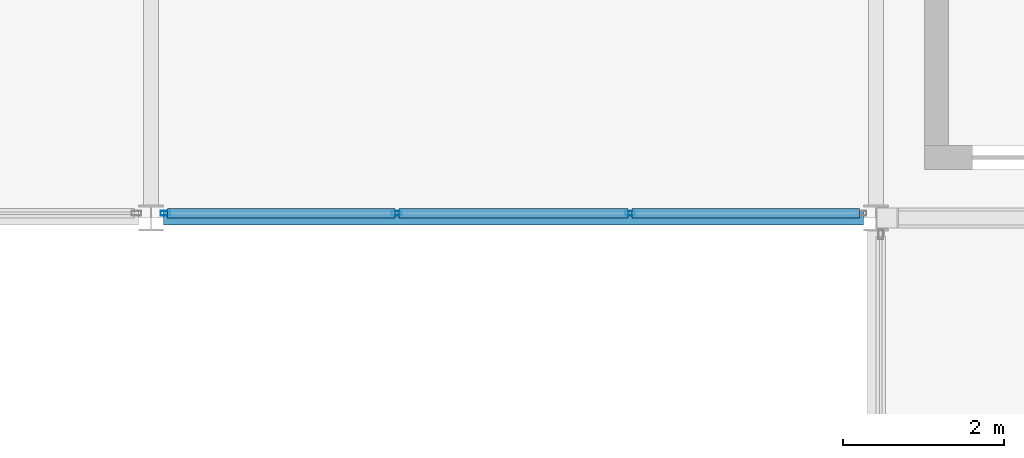
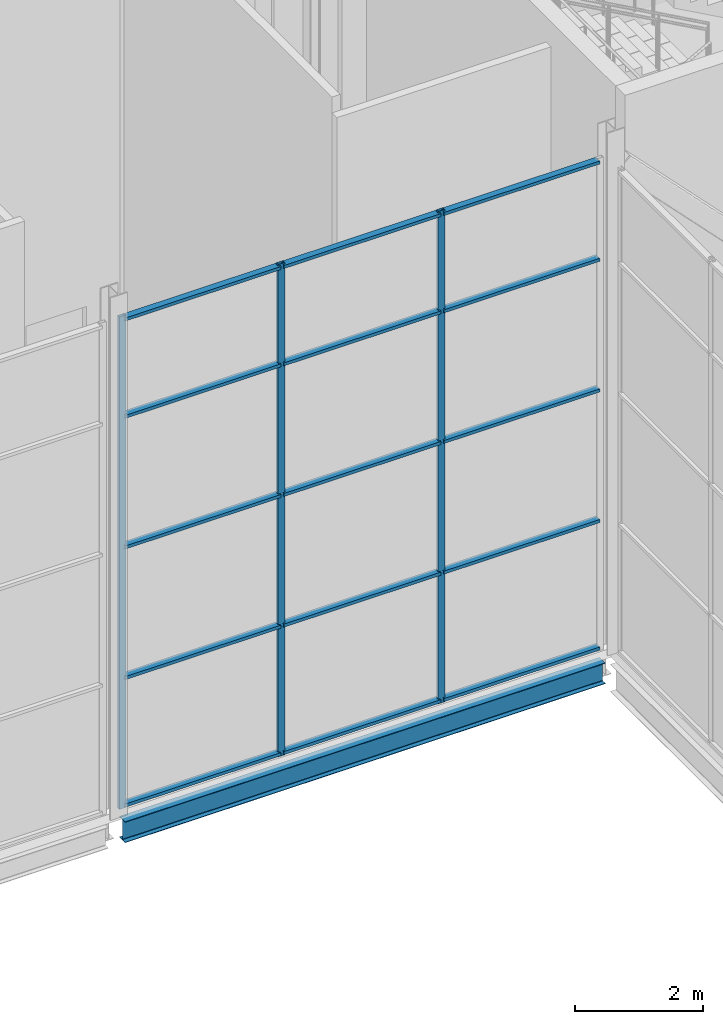
# One storey, part 64 of 111: 18 members, 1 beam, 1 element without a shape of its own.
"""IFC4 building model written with IfcOpenShell, lengths in metres."""

from ifc_helpers import new_model, si_unit, direction, frame, origin, origin_2d, place, context, subcontext, project, spatial, hollow_rectangle, i_section, extrude, material, layer, layer_set, material_profile, profile_set, type_object, element, aggregate, save


model = new_model("IFC4")

# Units and contexts
model_context = context("Model", 3, precision=1e-05, world=origin(), true_north=direction((0.0, 1.0)))
body_context = subcontext(model_context, "Body", "Model", "MODEL_VIEW")
ifc_project = project(units=[si_unit("LENGTHUNIT", "METRE"), si_unit("AREAUNIT", "SQUARE_METRE"), si_unit("VOLUMEUNIT", "CUBIC_METRE"), si_unit("PLANEANGLEUNIT", "RADIAN"), si_unit("MASSUNIT", "GRAM", prefix="KILO")], contexts=[model_context])

# Site, building, storey
site_placement = place(None, origin())
site = spatial("IfcSite", under=ifc_project, at=site_placement, CompositionType="ELEMENT")
building_placement = place(site_placement, origin())
building = spatial("IfcBuilding", under=site, at=building_placement, Name="Shorebreak Coast Museum", CompositionType="ELEMENT")
storey_placement = place(building_placement, frame((0.0, 0.0, 16.0)))
storey = spatial("IfcBuildingStorey", under=building, at=storey_placement, Name="L03", CompositionType="ELEMENT", Elevation=16.0)

# Beam
ifc_material_1 = material(Name="Steel Grade 300", Category="steel")
ifc_material_profile_1 = material_profile(ifc_material_1, i_section(OverallWidth=0.177978515625, OverallDepth=0.402587890625, WebThickness=0.007568359375, FlangeThickness=0.010986328125, FilletRadius=0.011474609375, at=origin_2d()), Name="410UB53.7")
ifc_profile_set_1 = profile_set([ifc_material_profile_1], Name="Steel Grade 300")
beam_type = type_object("IfcBeamType", Name="Floor girder east-west 410UB53.7", PredefinedType="BEAM", material=ifc_profile_set_1)
beam_placement = place(storey_placement, frame((99.155517578125, 81.0, -0.376220703125), z_axis=(1.0, 0.0, 0.0), x_axis=(0.0, 1.0, 0.0)))
element("IfcBeam", 1, at=beam_placement, inside=storey, type_object=beam_type, Name="Floor girder east-west L03 12K", PredefinedType="BEAM", context=body_context, shape_type="SweptSolid", body=[
    extrude(i_section(OverallWidth=0.177978515625, OverallDepth=0.402587890625, WebThickness=0.007568359375, FlangeThickness=0.010986328125, FilletRadius=0.011474609375, at=origin_2d()), origin(), (0.0, 0.0, 1.0), 8.68896484375),
])

# Curtain wall, members
ifc_material_2 = material(Name="Aluminium", Category="aluminium")
ifc_layer = layer(ifc_material_2, 0.1201171875)
ifc_layer_set = layer_set([ifc_layer], Name="Aluminium")
curtain_wall_type = type_object("IfcCurtainWallType", Name="Atrium fire screen", PredefinedType="NOTDEFINED", material=ifc_layer_set)
curtain_wall_placement = place(storey_placement, origin())
curtain_wall = element("IfcCurtainWall", 2, at=curtain_wall_placement, inside=storey, type_object=curtain_wall_type, Name="Atrium screen L03 N 44", PredefinedType="NOTDEFINED")
ifc_material_3 = material(Name="Aluminium", Category="aluminium")
ifc_material_profile_2 = material_profile(ifc_material_3, hollow_rectangle(XDim=0.06005859375, YDim=0.1201171875, WallThickness=0.00341796875, at=origin_2d()), Name="AL 120x60 RHS")
ifc_profile_set_2 = profile_set([ifc_material_profile_2], Name="Aluminium")
member_type_1 = type_object("IfcMemberType", Name="Screen mullion 50 x 120", PredefinedType="MULLION", material=ifc_profile_set_2)
member_1_placement = place(storey_placement, frame((99.179443359375, 81.06005859375, 0.0), z_axis=(0.0, 0.0, 1.0), x_axis=(0.0, 1.0, 0.0)))
member_1 = element("IfcMember", 3, at=member_1_placement, type_object=member_type_1, Name="CW6 mullion 1", PredefinedType="MULLION", context=body_context, shape_type="SweptSolid", body=[
    extrude(hollow_rectangle(XDim=0.06005859375, YDim=0.1201171875, WallThickness=0.00341796875, at=origin_2d()), origin(), (0.0, 0.0, 1.0), 9.42236328125),
])
member_2_placement = place(storey_placement, frame((102.051513671875, 81.06005859375, 0.0), z_axis=(0.0, 0.0, 1.0), x_axis=(0.0, 1.0, 0.0)))
member_2 = element("IfcMember", 4, at=member_2_placement, type_object=member_type_1, Name="CW6 mullion 2", PredefinedType="MULLION", context=body_context, shape_type="SweptSolid", body=[
    extrude(hollow_rectangle(XDim=0.06005859375, YDim=0.1201171875, WallThickness=0.00341796875, at=origin_2d()), origin(), (0.0, 0.0, 1.0), 9.42236328125),
])
member_3_placement = place(storey_placement, frame((104.948486328125, 81.06005859375, 0.0), z_axis=(0.0, 0.0, 1.0), x_axis=(0.0, 1.0, 0.0)))
member_3 = element("IfcMember", 5, at=member_3_placement, type_object=member_type_1, Name="CW6 mullion 3", PredefinedType="MULLION", context=body_context, shape_type="SweptSolid", body=[
    extrude(hollow_rectangle(XDim=0.06005859375, YDim=0.1201171875, WallThickness=0.00341796875, at=origin_2d()), origin(), (0.0, 0.0, 1.0), 9.42236328125),
])
ifc_material_4 = material(Name="Aluminium", Category="aluminium")
ifc_material_profile_3 = material_profile(ifc_material_4, hollow_rectangle(XDim=0.1201171875, YDim=0.06005859375, WallThickness=0.00341796875, at=origin_2d()), Name="AL 60x120 RHS")
ifc_profile_set_3 = profile_set([ifc_material_profile_3], Name="Aluminium")
member_type_2 = type_object("IfcMemberType", Name="Screen transom 120 x 50", PredefinedType="USERDEFINED", material=ifc_profile_set_3)
member_4_placement = place(storey_placement, frame((99.20458984375, 81.06005859375, 0.06005859375), z_axis=(1.0, 0.0, 0.0), x_axis=(0.0, 1.0, 0.0)))
member_4 = element("IfcMember", 6, at=member_4_placement, type_object=member_type_2, Name="CW6 transom 1.1", ObjectType="TRANSOM", PredefinedType="USERDEFINED", context=body_context, shape_type="SweptSolid", body=[
    extrude(hollow_rectangle(XDim=0.1201171875, YDim=0.06005859375, WallThickness=0.00341796875, at=origin_2d()), origin(), (0.0, 0.0, 1.0), 2.822021484375),
])
member_5_placement = place(storey_placement, frame((99.20458984375, 81.06005859375, 2.5), z_axis=(1.0, 0.0, 0.0), x_axis=(0.0, 1.0, 0.0)))
member_5 = element("IfcMember", 7, at=member_5_placement, type_object=member_type_2, Name="CW6 transom 1.2", ObjectType="TRANSOM", PredefinedType="USERDEFINED", context=body_context, shape_type="SweptSolid", body=[
    extrude(hollow_rectangle(XDim=0.1201171875, YDim=0.06005859375, WallThickness=0.00341796875, at=origin_2d()), origin(), (0.0, 0.0, 1.0), 2.822021484375),
])
member_6_placement = place(storey_placement, frame((99.20458984375, 81.06005859375, 5.0), z_axis=(1.0, 0.0, 0.0), x_axis=(0.0, 1.0, 0.0)))
member_6 = element("IfcMember", 8, at=member_6_placement, type_object=member_type_2, Name="CW6 transom 1.3", ObjectType="TRANSOM", PredefinedType="USERDEFINED", context=body_context, shape_type="SweptSolid", body=[
    extrude(hollow_rectangle(XDim=0.1201171875, YDim=0.06005859375, WallThickness=0.00341796875, at=origin_2d()), origin(), (0.0, 0.0, 1.0), 2.822021484375),
])
member_7_placement = place(storey_placement, frame((99.20458984375, 81.06005859375, 7.5), z_axis=(1.0, 0.0, 0.0), x_axis=(0.0, 1.0, 0.0)))
member_7 = element("IfcMember", 9, at=member_7_placement, type_object=member_type_2, Name="CW6 transom 1.4", ObjectType="TRANSOM", PredefinedType="USERDEFINED", context=body_context, shape_type="SweptSolid", body=[
    extrude(hollow_rectangle(XDim=0.1201171875, YDim=0.06005859375, WallThickness=0.00341796875, at=origin_2d()), origin(), (0.0, 0.0, 1.0), 2.822021484375),
])
member_8_placement = place(storey_placement, frame((99.20458984375, 81.06005859375, 9.3623046875), z_axis=(1.0, 0.0, 0.0), x_axis=(0.0, 1.0, 0.0)))
member_8 = element("IfcMember", 10, at=member_8_placement, type_object=member_type_2, Name="CW6 transom 1.5", ObjectType="TRANSOM", PredefinedType="USERDEFINED", context=body_context, shape_type="SweptSolid", body=[
    extrude(hollow_rectangle(XDim=0.1201171875, YDim=0.06005859375, WallThickness=0.00341796875, at=origin_2d()), origin(), (0.0, 0.0, 1.0), 2.822021484375),
])
member_9_placement = place(storey_placement, frame((102.076416015625, 81.06005859375, 0.06005859375), z_axis=(1.0, 0.0, 0.0), x_axis=(0.0, 1.0, 0.0)))
member_9 = element("IfcMember", 11, at=member_9_placement, type_object=member_type_2, Name="CW6 transom 2.1", ObjectType="TRANSOM", PredefinedType="USERDEFINED", context=body_context, shape_type="SweptSolid", body=[
    extrude(hollow_rectangle(XDim=0.1201171875, YDim=0.06005859375, WallThickness=0.00341796875, at=origin_2d()), origin(), (0.0, 0.0, 1.0), 2.84716796875),
])
member_10_placement = place(storey_placement, frame((102.076416015625, 81.06005859375, 2.5), z_axis=(1.0, 0.0, 0.0), x_axis=(0.0, 1.0, 0.0)))
member_10 = element("IfcMember", 12, at=member_10_placement, type_object=member_type_2, Name="CW6 transom 2.2", ObjectType="TRANSOM", PredefinedType="USERDEFINED", context=body_context, shape_type="SweptSolid", body=[
    extrude(hollow_rectangle(XDim=0.1201171875, YDim=0.06005859375, WallThickness=0.00341796875, at=origin_2d()), origin(), (0.0, 0.0, 1.0), 2.84716796875),
])
member_11_placement = place(storey_placement, frame((102.076416015625, 81.06005859375, 5.0), z_axis=(1.0, 0.0, 0.0), x_axis=(0.0, 1.0, 0.0)))
member_11 = element("IfcMember", 13, at=member_11_placement, type_object=member_type_2, Name="CW6 transom 2.3", ObjectType="TRANSOM", PredefinedType="USERDEFINED", context=body_context, shape_type="SweptSolid", body=[
    extrude(hollow_rectangle(XDim=0.1201171875, YDim=0.06005859375, WallThickness=0.00341796875, at=origin_2d()), origin(), (0.0, 0.0, 1.0), 2.84716796875),
])
member_12_placement = place(storey_placement, frame((102.076416015625, 81.06005859375, 7.5), z_axis=(1.0, 0.0, 0.0), x_axis=(0.0, 1.0, 0.0)))
member_12 = element("IfcMember", 14, at=member_12_placement, type_object=member_type_2, Name="CW6 transom 2.4", ObjectType="TRANSOM", PredefinedType="USERDEFINED", context=body_context, shape_type="SweptSolid", body=[
    extrude(hollow_rectangle(XDim=0.1201171875, YDim=0.06005859375, WallThickness=0.00341796875, at=origin_2d()), origin(), (0.0, 0.0, 1.0), 2.84716796875),
])
member_13_placement = place(storey_placement, frame((102.076416015625, 81.06005859375, 9.3623046875), z_axis=(1.0, 0.0, 0.0), x_axis=(0.0, 1.0, 0.0)))
member_13 = element("IfcMember", 15, at=member_13_placement, type_object=member_type_2, Name="CW6 transom 2.5", ObjectType="TRANSOM", PredefinedType="USERDEFINED", context=body_context, shape_type="SweptSolid", body=[
    extrude(hollow_rectangle(XDim=0.1201171875, YDim=0.06005859375, WallThickness=0.00341796875, at=origin_2d()), origin(), (0.0, 0.0, 1.0), 2.84716796875),
])
member_14_placement = place(storey_placement, frame((104.973388671875, 81.06005859375, 0.06005859375), z_axis=(1.0, 0.0, 0.0), x_axis=(0.0, 1.0, 0.0)))
member_14 = element("IfcMember", 16, at=member_14_placement, type_object=member_type_2, Name="CW6 transom 3.1", ObjectType="TRANSOM", PredefinedType="USERDEFINED", context=body_context, shape_type="SweptSolid", body=[
    extrude(hollow_rectangle(XDim=0.1201171875, YDim=0.06005859375, WallThickness=0.00341796875, at=origin_2d()), origin(), (0.0, 0.0, 1.0), 2.822021484375),
])
member_15_placement = place(storey_placement, frame((104.973388671875, 81.06005859375, 2.5), z_axis=(1.0, 0.0, 0.0), x_axis=(0.0, 1.0, 0.0)))
member_15 = element("IfcMember", 17, at=member_15_placement, type_object=member_type_2, Name="CW6 transom 3.2", ObjectType="TRANSOM", PredefinedType="USERDEFINED", context=body_context, shape_type="SweptSolid", body=[
    extrude(hollow_rectangle(XDim=0.1201171875, YDim=0.06005859375, WallThickness=0.00341796875, at=origin_2d()), origin(), (0.0, 0.0, 1.0), 2.822021484375),
])
member_16_placement = place(storey_placement, frame((104.973388671875, 81.06005859375, 5.0), z_axis=(1.0, 0.0, 0.0), x_axis=(0.0, 1.0, 0.0)))
member_16 = element("IfcMember", 18, at=member_16_placement, type_object=member_type_2, Name="CW6 transom 3.3", ObjectType="TRANSOM", PredefinedType="USERDEFINED", context=body_context, shape_type="SweptSolid", body=[
    extrude(hollow_rectangle(XDim=0.1201171875, YDim=0.06005859375, WallThickness=0.00341796875, at=origin_2d()), origin(), (0.0, 0.0, 1.0), 2.822021484375),
])
member_17_placement = place(storey_placement, frame((104.973388671875, 81.06005859375, 7.5), z_axis=(1.0, 0.0, 0.0), x_axis=(0.0, 1.0, 0.0)))
member_17 = element("IfcMember", 19, at=member_17_placement, type_object=member_type_2, Name="CW6 transom 3.4", ObjectType="TRANSOM", PredefinedType="USERDEFINED", context=body_context, shape_type="SweptSolid", body=[
    extrude(hollow_rectangle(XDim=0.1201171875, YDim=0.06005859375, WallThickness=0.00341796875, at=origin_2d()), origin(), (0.0, 0.0, 1.0), 2.822021484375),
])
member_18_placement = place(storey_placement, frame((104.973388671875, 81.06005859375, 9.3623046875), z_axis=(1.0, 0.0, 0.0), x_axis=(0.0, 1.0, 0.0)))
member_18 = element("IfcMember", 20, at=member_18_placement, type_object=member_type_2, Name="CW6 transom 3.5", ObjectType="TRANSOM", PredefinedType="USERDEFINED", context=body_context, shape_type="SweptSolid", body=[
    extrude(hollow_rectangle(XDim=0.1201171875, YDim=0.06005859375, WallThickness=0.00341796875, at=origin_2d()), origin(), (0.0, 0.0, 1.0), 2.822021484375),
])
aggregate(curtain_wall, [member_1, member_2, member_3, member_4, member_5, member_6, member_7, member_8, member_9, member_10, member_11, member_12, member_13, member_14, member_15, member_16, member_17, member_18])

save(model, "model.ifc")
